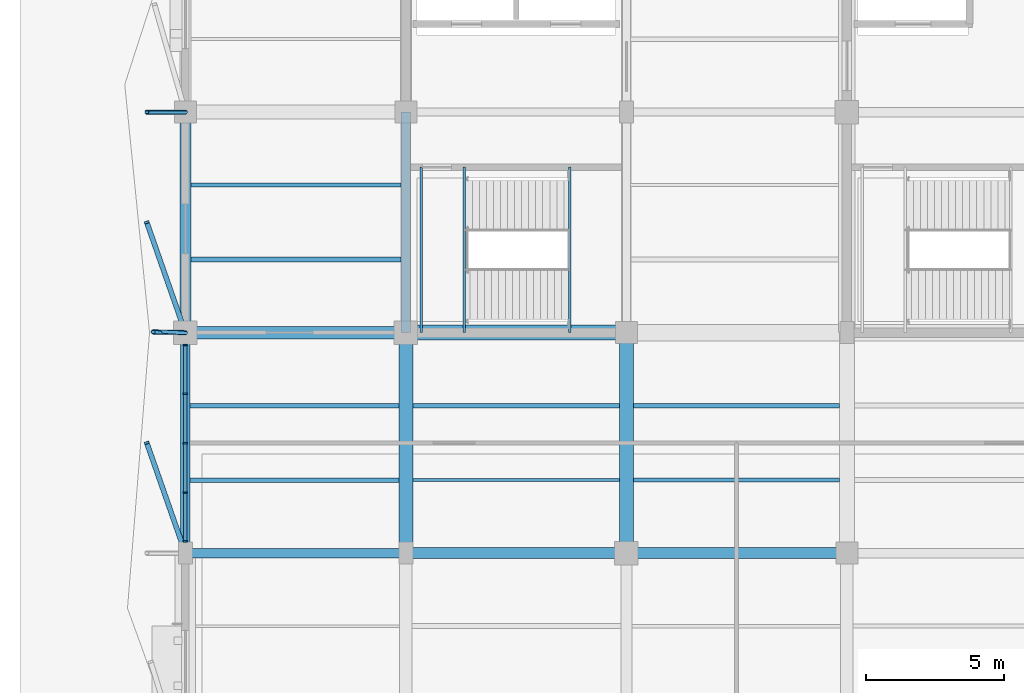
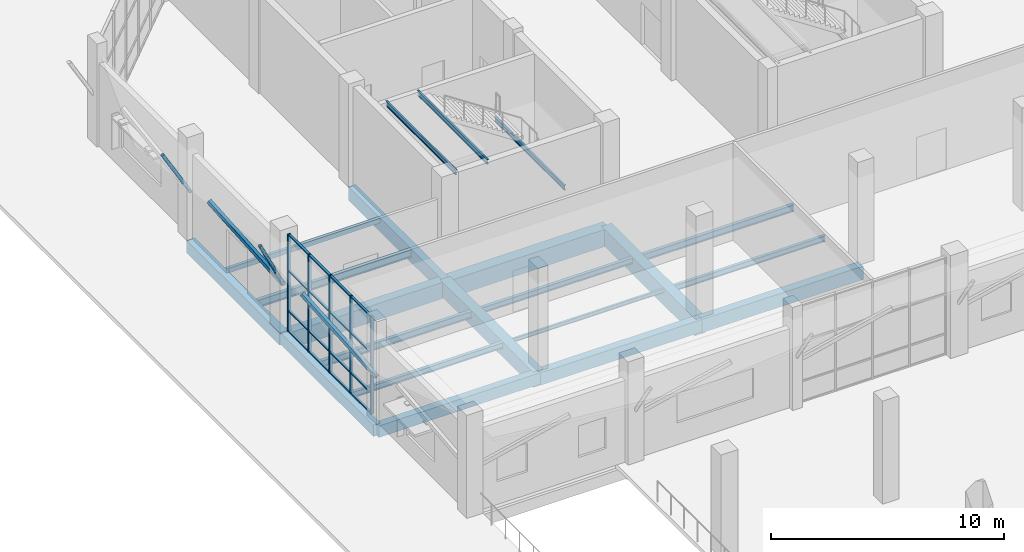
# One storey, part 35 of 123: 25 members, 21 beams, 1 element without a shape of its own.
"""IFC4 building model written with IfcOpenShell, lengths in metres."""

import ifcopenshell
import ifcopenshell.guid

model = None  # the IFC model being written
_history = None  # IfcOwnerHistory: only IFC2X3 demands one
_inside = {}  # id of a spatial element -> (the spatial element, [elements in it])
_under = {}  # id of a project, library or spatial element -> (it, [spatial elements below it])
_declared = {}  # id of a project -> (the project, [libraries it declares])
_typed = {}  # id of a type object -> (the type object, [elements of that type])
_made_of = {}  # id of a material, layer set ... -> (it, [elements and type objects made of it])


def new_model(schema):
    """Start an empty IFC model of exactly this schema.

    Asked for "IFC4X3", IfcOpenShell would pick the latest addendum, in which some entities
    have other attributes; the version numbers below select the first issue.
    IFC2X3 requires an IfcOwnerHistory on every rooted entity: one is made here for all.
    """
    global model, _history
    if schema == "IFC4X3":
        model = ifcopenshell.file(schema_version=(4, 3, 0, 0))
    else:
        model = ifcopenshell.file(schema=schema)
    _inside.clear()
    _under.clear()
    _declared.clear()
    _typed.clear()
    _made_of.clear()
    _history = None
    if model.schema == "IFC2X3":
        org = make("IfcOrganization", Name="unknown")
        user = make(
            "IfcPersonAndOrganization",
            ThePerson=make("IfcPerson", FamilyName="unknown"),
            TheOrganization=org,
        )
        app = make(
            "IfcApplication",
            ApplicationDeveloper=org,
            Version="unknown",
            ApplicationFullName="unknown",
            ApplicationIdentifier="unknown",
        )
        _history = make(
            "IfcOwnerHistory",
            OwningUser=user,
            OwningApplication=app,
            ChangeAction="ADDED",
            CreationDate=0,
        )
    return model


def make(cls, **values):
    """One entity of the class cls with the attributes given. An attribute that is None is left unset."""
    return model.create_entity(
        cls, **{name: value for name, value in values.items() if value is not None}
    )


def rooted(cls, **values):
    """An entity with a GlobalId (a new one), such as an element, a storey or a relation."""
    return make(cls, GlobalId=ifcopenshell.guid.new(), OwnerHistory=_history, **values)


def si_unit(unit_type, name, prefix=None):
    """IfcSIUnit, for example si_unit("LENGTHUNIT", "METRE", prefix="MILLI")."""
    return make("IfcSIUnit", UnitType=unit_type, Prefix=prefix, Name=name)


def assignment(units):
    """IfcUnitAssignment: the units of a project."""
    return None if units is None else make("IfcUnitAssignment", Units=units)


def point(xyz):
    """IfcCartesianPoint."""
    return None if xyz is None else make("IfcCartesianPoint", Coordinates=xyz)


def direction(xyz):
    """IfcDirection."""
    return None if xyz is None else make("IfcDirection", DirectionRatios=xyz)


def frame(location, z_axis=None, x_axis=None):
    """IfcAxis2Placement3D, a coordinate frame: its origin and axes. An axis left out is left unset."""
    return make(
        "IfcAxis2Placement3D",
        Location=point(location),
        Axis=direction(z_axis),
        RefDirection=direction(x_axis),
    )


def frame_2d(location, x_axis=None):
    """IfcAxis2Placement2D, a coordinate frame in the plane: its origin and x axis."""
    return make(
        "IfcAxis2Placement2D", Location=point(location), RefDirection=direction(x_axis)
    )


def origin():
    """The frame at (0, 0, 0) with its axes left unset."""
    return frame((0.0, 0.0, 0.0))


def origin_2d():
    """The frame at (0, 0) in the plane with its x axis left unset."""
    return frame_2d((0.0, 0.0))


def place(relative_to, where):
    """IfcLocalPlacement: puts the frame where relative to a parent placement (None: the world)."""
    return make(
        "IfcLocalPlacement", PlacementRelTo=relative_to, RelativePlacement=where
    )


def context(
    kind, dimensions, precision=None, world=None, true_north=None, identifier=None
):
    """IfcGeometricRepresentationContext, for example the 3D "Model" context."""
    return make(
        "IfcGeometricRepresentationContext",
        ContextIdentifier=identifier,
        ContextType=kind,
        CoordinateSpaceDimension=dimensions,
        Precision=precision,
        WorldCoordinateSystem=world,
        TrueNorth=true_north,
    )


def subcontext(parent, identifier, kind, view, scale=None):
    """IfcGeometricRepresentationSubContext, for example "Body" below "Model"."""
    return make(
        "IfcGeometricRepresentationSubContext",
        ContextIdentifier=identifier,
        ContextType=kind,
        ParentContext=parent,
        TargetScale=scale,
        TargetView=view,
    )


def project(units=None, contexts=None):
    """IfcProject with its units and contexts."""
    return rooted(
        "IfcProject",
        Name="project",
        RepresentationContexts=contexts,
        UnitsInContext=assignment(units),
    )


def spatial(cls, under=None, at=None, **own):
    """A site, building, storey or space (cls), placed at a placement, below another one or the project."""
    s = rooted(cls, ObjectPlacement=at, **own)
    if under is not None:
        _under.setdefault(under.id(), (under, []))[1].append(s)
    return s


def profile(cls, at=None, kind="AREA", **sizes):
    """A parametric profile (cls). Its sizes go by their IFC names, for example OverallWidth=200.0."""
    return make(cls, ProfileType=kind, Position=at, **sizes)


def rectangle(**sizes):
    """IfcRectangleProfileDef."""
    return profile("IfcRectangleProfileDef", **sizes)


def hollow_rectangle(**sizes):
    """IfcRectangleHollowProfileDef."""
    return profile("IfcRectangleHollowProfileDef", **sizes)


def hollow_circle(**sizes):
    """IfcCircleHollowProfileDef."""
    return profile("IfcCircleHollowProfileDef", **sizes)


def i_section(**sizes):
    """IfcIShapeProfileDef."""
    return profile("IfcIShapeProfileDef", **sizes)


def extrude(swept, where, along, depth):
    """IfcExtrudedAreaSolid: the profile swept, set in the frame where, extruded along a direction by depth."""
    return make(
        "IfcExtrudedAreaSolid",
        SweptArea=swept,
        Position=where,
        ExtrudedDirection=direction(along),
        Depth=depth,
    )


def shape(context_of_items, identifier, shape_type, items):
    """IfcShapeRepresentation: the items that make up one representation, for example the "Body"."""
    return make(
        "IfcShapeRepresentation",
        ContextOfItems=context_of_items,
        RepresentationIdentifier=identifier,
        RepresentationType=shape_type,
        Items=items,
    )


def material(Name=None, Category=None):
    """IfcMaterial."""
    return make("IfcMaterial", Name=Name, Category=Category)


def material_profile(
    of_material, cross_section, Name=None, Category=None, Priority=None
):
    """IfcMaterialProfile: a cross section and its material."""
    return make(
        "IfcMaterialProfile",
        Name=Name,
        Material=of_material,
        Profile=cross_section,
        Priority=Priority,
        Category=Category,
    )


def profile_set(profiles, Name=None, composite=None):
    """IfcMaterialProfileSet."""
    return make(
        "IfcMaterialProfileSet",
        Name=Name,
        MaterialProfiles=profiles,
        CompositeProfile=composite,
    )


def made_of(thing, what):
    """Note that an element or type object is made of a material, layer set ...; save() writes the relation."""
    if what is not None:
        _made_of.setdefault(what.id(), (what, []))[1].append(thing)
    return thing


def type_object(cls, material=None, **own):
    """A type object (cls), such as IfcWallType, which elements share."""
    return made_of(rooted(cls, **own), material)


def element(
    cls,
    number,
    at=None,
    inside=None,
    cuts=None,
    type_object=None,
    material=None,
    context=None,
    identifier="Body",
    shape_type=None,
    held_by="IfcProductDefinitionShape",
    body=None,
    shapes=None,
    **own,
):
    """One element of the class cls, such as IfcWall. Its Tag is "e" and its number.

    at: its placement. inside: the storey or other place that contains it. cuts: it is an
    opening in that element (IfcRelVoidsElement). A single representation is given by context,
    identifier, shape_type and body (its items); several are given by shapes. held_by: the class
    of the entity that holds the representations. save() writes the other relations.
    """
    e = rooted(cls, Tag="e%d" % number, ObjectPlacement=at, **own)
    if body is not None:
        shapes = [shape(context, identifier, shape_type, body)]
    if shapes is not None:
        e.Representation = make(held_by, Representations=shapes)
    if inside is not None:
        _inside.setdefault(inside.id(), (inside, []))[1].append(e)
    if cuts is not None:
        rooted(
            "IfcRelVoidsElement", RelatingBuildingElement=cuts, RelatedOpeningElement=e
        )
    if type_object is not None:
        _typed.setdefault(type_object.id(), (type_object, []))[1].append(e)
    return made_of(e, material)


def aggregate(whole, parts):
    """IfcRelAggregates: a whole, such as a stair, and the parts it consists of."""
    return rooted("IfcRelAggregates", RelatingObject=whole, RelatedObjects=parts)


def save(model, path):
    """Write the relations noted so far, then the file.

    IfcRelAggregates (storeys below a building ...), IfcRelContainedInSpatialStructure (elements
    in a storey), IfcRelDefinesByType, IfcRelAssociatesMaterial and IfcRelDeclares: one each for
    every whole, place, type object, material and project.
    """
    for whole, parts in _under.values():
        aggregate(whole, parts)
    for where, things in _inside.values():
        rooted(
            "IfcRelContainedInSpatialStructure",
            RelatedElements=things,
            RelatingStructure=where,
        )
    for kind, things in _typed.values():
        rooted("IfcRelDefinesByType", RelatedObjects=things, RelatingType=kind)
    for what, things in _made_of.values():
        rooted("IfcRelAssociatesMaterial", RelatedObjects=things, RelatingMaterial=what)
    for by, libraries in _declared.values():
        rooted("IfcRelDeclares", RelatingContext=by, RelatedDefinitions=libraries)
    model.write(path)


model = new_model("IFC4")

# Units and contexts
model_context = context("Model", 3, precision=1e-05, world=origin(), true_north=direction((0.0, 1.0)))
body_context = subcontext(model_context, "Body", "Model", "MODEL_VIEW")
ifc_project = project(units=[si_unit("LENGTHUNIT", "METRE"), si_unit("AREAUNIT", "SQUARE_METRE"), si_unit("VOLUMEUNIT", "CUBIC_METRE"), si_unit("PLANEANGLEUNIT", "RADIAN"), si_unit("MASSUNIT", "GRAM", prefix="KILO")], contexts=[model_context])

# Site, building, storey
site_placement = place(None, origin())
site = spatial("IfcSite", under=ifc_project, at=site_placement, CompositionType="ELEMENT")
building_placement = place(site_placement, origin())
building = spatial("IfcBuilding", under=site, at=building_placement, Name="Tenunan Teduh Sports Hall", CompositionType="ELEMENT")
storey_placement = place(building_placement, origin())
storey = spatial("IfcBuildingStorey", under=building, at=storey_placement, Name="L00", CompositionType="ELEMENT", Elevation=0.0)

# Beams
ifc_material_1 = material(Name="Concrete C40/50", Category="concrete")
ifc_material_profile_1 = material_profile(ifc_material_1, rectangle(XDim=0.35009765625, YDim=0.60009765625, at=origin_2d()), Name="RCB 350x600")
ifc_profile_set_1 = profile_set([ifc_material_profile_1], Name="Concrete C40/50")
beam_type_1 = type_object("IfcBeamType", Name="BM-RC-350x600", PredefinedType="BEAM", material=ifc_profile_set_1)
for number, where, z_axis, x_axis, name in (
    (1, (6.0, 86.0, -0.580078125), (1.0, 0.0, 0.0), (0.0, 1.0, 0.0), "BM-B-04-L00-0683"),
    (2, (6.0, 86.0, -0.580078125), (0.0, 1.0, 0.0), (-1.0, 0.0, 0.0), "BM-B-04-L00-0768"),
):
    element("IfcBeam", number, at=place(storey_placement, frame(where, z_axis=z_axis, x_axis=x_axis)), inside=storey, type_object=beam_type_1, Name=name, PredefinedType="BEAM", context=body_context, shape_type="SweptSolid", body=[
        extrude(rectangle(XDim=0.35009765625, YDim=0.60009765625, at=origin_2d()), origin(), (0.0, 0.0, 1.0), 8.0),
    ])
ifc_material_2 = material(Name="Concrete C40/50", Category="concrete")
ifc_material_profile_2 = material_profile(ifc_material_2, rectangle(XDim=0.39990234375, YDim=0.64990234375, at=origin_2d()), Name="RCB 400x650")
ifc_profile_set_2 = profile_set([ifc_material_profile_2], Name="Concrete C40/50")
beam_type_2 = type_object("IfcBeamType", Name="BM-RC-400x650", PredefinedType="BEAM", material=ifc_profile_set_2)
for number, where, z_axis, x_axis, name in (
    (3, (14.0, 86.0, -0.60498046875), (1.0, 0.0, 0.0), (0.0, 1.0, 0.0), "BM-B-07-L00-0684"),
    (4, (6.0, 94.0, -0.60498046875), (0.0, 1.0, 0.0), (-1.0, 0.0, 0.0), "BM-B-07-L00-0769"),
):
    element("IfcBeam", number, at=place(storey_placement, frame(where, z_axis=z_axis, x_axis=x_axis)), inside=storey, type_object=beam_type_2, Name=name, PredefinedType="BEAM", context=body_context, shape_type="SweptSolid", body=[
        extrude(rectangle(XDim=0.39990234375, YDim=0.64990234375, at=origin_2d()), origin(), (0.0, 0.0, 1.0), 8.0),
    ])
ifc_material_3 = material(Name="Concrete C40/50", Category="concrete")
ifc_material_profile_3 = material_profile(ifc_material_3, rectangle(XDim=0.39990234375, YDim=0.699951171875, at=origin_2d()), Name="RCB 400x700")
ifc_profile_set_3 = profile_set([ifc_material_profile_3], Name="Concrete C40/50")
beam_type_3 = type_object("IfcBeamType", Name="BM-RC-400x700", PredefinedType="BEAM", material=ifc_profile_set_3)
beam_1_placement = place(storey_placement, frame((22.0, 86.0, -0.6298828125), z_axis=(1.0, 0.0, 0.0), x_axis=(0.0, 1.0, 0.0)))
element("IfcBeam", 5, at=beam_1_placement, inside=storey, type_object=beam_type_3, Name="BM-B-08-L00-0685", PredefinedType="BEAM", context=body_context, shape_type="SweptSolid", body=[
    extrude(rectangle(XDim=0.39990234375, YDim=0.699951171875, at=origin_2d()), origin(), (0.0, 0.0, 1.0), 8.0),
])
ifc_material_4 = material(Name="Concrete C40/50", Category="concrete")
ifc_material_profile_4 = material_profile(ifc_material_4, rectangle(XDim=0.449951171875, YDim=0.85009765625, at=origin_2d()), Name="RCB 450x850")
ifc_profile_set_4 = profile_set([ifc_material_profile_4], Name="Concrete C40/50")
beam_type_4 = type_object("IfcBeamType", Name="BM-RC-450x850", PredefinedType="BEAM", material=ifc_profile_set_4)
beam_2_placement = place(storey_placement, frame((6.0, 94.0, -0.705078125), z_axis=(1.0, 0.0, 0.0), x_axis=(0.0, 1.0, 0.0)))
element("IfcBeam", 6, at=beam_2_placement, inside=storey, type_object=beam_type_4, Name="BM-B-13-L00-0699", PredefinedType="BEAM", context=body_context, shape_type="SweptSolid", body=[
    extrude(rectangle(XDim=0.449951171875, YDim=0.85009765625, at=origin_2d()), origin(), (0.0, 0.0, 1.0), 8.0),
])
ifc_material_5 = material(Name="Concrete C40/50", Category="concrete")
ifc_material_profile_5 = material_profile(ifc_material_5, rectangle(XDim=0.5, YDim=0.800048828125, at=origin_2d()), Name="RCB 500x800")
ifc_profile_set_5 = profile_set([ifc_material_profile_5], Name="Concrete C40/50")
beam_type_5 = type_object("IfcBeamType", Name="BM-RC-500x800", PredefinedType="BEAM", material=ifc_profile_set_5)
beam_3_placement = place(storey_placement, frame((14.0, 86.0, -0.679931640625), z_axis=(0.0, 1.0, 0.0), x_axis=(-1.0, 0.0, 0.0)))
element("IfcBeam", 7, at=beam_3_placement, inside=storey, type_object=beam_type_5, Name="BM-B-14-L00-0773", PredefinedType="BEAM", context=body_context, shape_type="SweptSolid", body=[
    extrude(rectangle(XDim=0.5, YDim=0.800048828125, at=origin_2d()), origin(), (0.0, 0.0, 1.0), 8.0),
])
ifc_material_6 = material(Name="Concrete C40/50", Category="concrete")
ifc_material_profile_6 = material_profile(ifc_material_6, rectangle(XDim=0.5, YDim=0.89990234375, at=origin_2d()), Name="RCB 500x900")
ifc_profile_set_6 = profile_set([ifc_material_profile_6], Name="Concrete C40/50")
beam_type_6 = type_object("IfcBeamType", Name="BM-RC-500x900", PredefinedType="BEAM", material=ifc_profile_set_6)
beam_4_placement = place(storey_placement, frame((22.0, 86.0, -0.72998046875), z_axis=(0.0, 1.0, 0.0), x_axis=(-1.0, 0.0, 0.0)))
element("IfcBeam", 8, at=beam_4_placement, inside=storey, type_object=beam_type_6, Name="BM-B-15-L00-0779", PredefinedType="BEAM", context=body_context, shape_type="SweptSolid", body=[
    extrude(rectangle(XDim=0.5, YDim=0.89990234375, at=origin_2d()), origin(), (0.0, 0.0, 1.0), 8.0),
])
ifc_material_7 = material(Name="Concrete C40/50", Category="concrete")
ifc_material_profile_7 = material_profile(ifc_material_7, rectangle(XDim=0.550048828125, YDim=0.89990234375, at=origin_2d()), Name="RCB 550x900")
ifc_profile_set_7 = profile_set([ifc_material_profile_7], Name="Concrete C40/50")
beam_type_7 = type_object("IfcBeamType", Name="BM-RC-550x900", PredefinedType="BEAM", material=ifc_profile_set_7)
beam_5_placement = place(storey_placement, frame((14.0, 94.0, -0.72998046875), z_axis=(1.0, 0.0, 0.0), x_axis=(0.0, 1.0, 0.0)))
element("IfcBeam", 9, at=beam_5_placement, inside=storey, type_object=beam_type_7, Name="BM-B-16-L00-0700", PredefinedType="BEAM", context=body_context, shape_type="SweptSolid", body=[
    extrude(rectangle(XDim=0.550048828125, YDim=0.89990234375, at=origin_2d()), origin(), (0.0, 0.0, 1.0), 8.0),
])
ifc_material_8 = material(Name="Concrete C40/50", Category="concrete")
ifc_material_profile_8 = material_profile(ifc_material_8, rectangle(XDim=0.35009765625, YDim=0.719970703125, at=origin_2d()), Name="TB 350x720")
ifc_profile_set_8 = profile_set([ifc_material_profile_8], Name="Concrete C40/50")
beam_type_8 = type_object("IfcBeamType", Name="BM-TB-350x720", PredefinedType="T_BEAM", material=ifc_profile_set_8)
beam_6_placement = place(storey_placement, frame((14.0, 94.0, -0.639892578125), z_axis=(0.0, 1.0, 0.0), x_axis=(-1.0, 0.0, 0.0)))
element("IfcBeam", 10, at=beam_6_placement, inside=storey, type_object=beam_type_8, Name="BM-TB-01-L00-0774", PredefinedType="T_BEAM", context=body_context, shape_type="SweptSolid", body=[
    extrude(rectangle(XDim=0.35009765625, YDim=0.719970703125, at=origin_2d()), origin(), (0.0, 0.0, 1.0), 8.0),
])

# Curtain wall, members
ifc_material_9 = material(Name="Anodised aluminium", Category="aluminium")
curtain_wall_type = type_object("IfcCurtainWallType", Name="CW-UNIT-1", PredefinedType="NOTDEFINED", material=ifc_material_9)
curtain_wall_placement = place(storey_placement, origin())
curtain_wall = element("IfcCurtainWall", 11, at=curtain_wall_placement, inside=storey, type_object=curtain_wall_type, Name="CW-CWM-150-L00-199", PredefinedType="NOTDEFINED")
ifc_material_10 = material(Name="Anodised aluminium", Category="aluminium")
ifc_material_profile_9 = material_profile(ifc_material_10, rectangle(XDim=0.06005859375, YDim=0.14990234375, at=origin_2d()), Name="CWM 60x150")
ifc_profile_set_9 = profile_set([ifc_material_profile_9], Name="Anodised aluminium")
member_type_1 = type_object("IfcMemberType", Name="CWM-150", PredefinedType="MULLION", material=ifc_profile_set_9)
member_1_placement = place(storey_placement, frame((6.0, 86.429931640625, 0.0), z_axis=(0.0, 0.0, 1.0), x_axis=(0.0, 1.0, 0.0)))
member_1 = element("IfcMember", 12, at=member_1_placement, type_object=member_type_1, Name="CW-01 mullion 1", PredefinedType="MULLION", context=body_context, shape_type="SweptSolid", body=[
    extrude(rectangle(XDim=0.06005859375, YDim=0.14990234375, at=origin_2d()), origin(), (0.0, 0.0, 1.0), 5.1201171875),
])
member_2_placement = place(storey_placement, frame((6.0, 88.19384765625, 0.0), z_axis=(0.0, 0.0, 1.0), x_axis=(0.0, 1.0, 0.0)))
member_2 = element("IfcMember", 13, at=member_2_placement, type_object=member_type_1, Name="CW-01 mullion 2", PredefinedType="MULLION", context=body_context, shape_type="SweptSolid", body=[
    extrude(rectangle(XDim=0.06005859375, YDim=0.14990234375, at=origin_2d()), origin(), (0.0, 0.0, 1.0), 5.1201171875),
])
member_3_placement = place(storey_placement, frame((6.0, 89.987548828125, 0.0), z_axis=(0.0, 0.0, 1.0), x_axis=(0.0, 1.0, 0.0)))
member_3 = element("IfcMember", 14, at=member_3_placement, type_object=member_type_1, Name="CW-01 mullion 3", PredefinedType="MULLION", context=body_context, shape_type="SweptSolid", body=[
    extrude(rectangle(XDim=0.06005859375, YDim=0.14990234375, at=origin_2d()), origin(), (0.0, 0.0, 1.0), 5.1201171875),
])
member_4_placement = place(storey_placement, frame((6.0, 91.78125, 0.0), z_axis=(0.0, 0.0, 1.0), x_axis=(0.0, 1.0, 0.0)))
member_4 = element("IfcMember", 15, at=member_4_placement, type_object=member_type_1, Name="CW-01 mullion 4", PredefinedType="MULLION", context=body_context, shape_type="SweptSolid", body=[
    extrude(rectangle(XDim=0.06005859375, YDim=0.14990234375, at=origin_2d()), origin(), (0.0, 0.0, 1.0), 5.1201171875),
])
member_5_placement = place(storey_placement, frame((6.0, 93.544921875, 0.0), z_axis=(0.0, 0.0, 1.0), x_axis=(0.0, 1.0, 0.0)))
member_5 = element("IfcMember", 16, at=member_5_placement, type_object=member_type_1, Name="CW-01 mullion 5", PredefinedType="MULLION", context=body_context, shape_type="SweptSolid", body=[
    extrude(rectangle(XDim=0.06005859375, YDim=0.14990234375, at=origin_2d()), origin(), (0.0, 0.0, 1.0), 5.1201171875),
])
ifc_material_11 = material(Name="Anodised aluminium", Category="aluminium")
ifc_material_profile_10 = material_profile(ifc_material_11, rectangle(XDim=0.06005859375, YDim=0.1201171875, at=origin_2d()), Name="CWT 60x120")
ifc_profile_set_10 = profile_set([ifc_material_profile_10], Name="Anodised aluminium")
member_type_2 = type_object("IfcMemberType", Name="CWT-125", PredefinedType="USERDEFINED", material=ifc_profile_set_10)
member_6_placement = place(storey_placement, frame((6.0, 86.4599609375, 0.030029296875), z_axis=(0.0, 1.0, 0.0), x_axis=(0.0, 0.0, 1.0)))
member_6 = element("IfcMember", 17, at=member_6_placement, type_object=member_type_2, Name="CW-01 transom 1.1", ObjectType="TRANSOM", PredefinedType="USERDEFINED", context=body_context, shape_type="SweptSolid", body=[
    extrude(rectangle(XDim=0.06005859375, YDim=0.1201171875, at=origin_2d()), origin(), (0.0, 0.0, 1.0), 1.703857421875),
])
member_7_placement = place(storey_placement, frame((6.0, 86.4599609375, 1.10009765625), z_axis=(0.0, 1.0, 0.0), x_axis=(0.0, 0.0, 1.0)))
member_7 = element("IfcMember", 18, at=member_7_placement, type_object=member_type_2, Name="CW-01 transom 1.2", ObjectType="TRANSOM", PredefinedType="USERDEFINED", context=body_context, shape_type="SweptSolid", body=[
    extrude(rectangle(XDim=0.06005859375, YDim=0.1201171875, at=origin_2d()), origin(), (0.0, 0.0, 1.0), 1.703857421875),
])
member_8_placement = place(storey_placement, frame((6.0, 86.4599609375, 3.199951171875), z_axis=(0.0, 1.0, 0.0), x_axis=(0.0, 0.0, 1.0)))
member_8 = element("IfcMember", 19, at=member_8_placement, type_object=member_type_2, Name="CW-01 transom 1.3", ObjectType="TRANSOM", PredefinedType="USERDEFINED", context=body_context, shape_type="SweptSolid", body=[
    extrude(rectangle(XDim=0.06005859375, YDim=0.1201171875, at=origin_2d()), origin(), (0.0, 0.0, 1.0), 1.703857421875),
])
member_9_placement = place(storey_placement, frame((6.0, 86.4599609375, 5.090087890625), z_axis=(0.0, 1.0, 0.0), x_axis=(0.0, 0.0, 1.0)))
member_9 = element("IfcMember", 20, at=member_9_placement, type_object=member_type_2, Name="CW-01 transom 1.4", ObjectType="TRANSOM", PredefinedType="USERDEFINED", context=body_context, shape_type="SweptSolid", body=[
    extrude(rectangle(XDim=0.06005859375, YDim=0.1201171875, at=origin_2d()), origin(), (0.0, 0.0, 1.0), 1.703857421875),
])
member_10_placement = place(storey_placement, frame((6.0, 88.2236328125, 0.030029296875), z_axis=(0.0, 1.0, 0.0), x_axis=(0.0, 0.0, 1.0)))
member_10 = element("IfcMember", 21, at=member_10_placement, type_object=member_type_2, Name="CW-01 transom 2.1", ObjectType="TRANSOM", PredefinedType="USERDEFINED", context=body_context, shape_type="SweptSolid", body=[
    extrude(rectangle(XDim=0.06005859375, YDim=0.1201171875, at=origin_2d()), origin(), (0.0, 0.0, 1.0), 1.73388671875),
])
member_11_placement = place(storey_placement, frame((6.0, 88.2236328125, 1.10009765625), z_axis=(0.0, 1.0, 0.0), x_axis=(0.0, 0.0, 1.0)))
member_11 = element("IfcMember", 22, at=member_11_placement, type_object=member_type_2, Name="CW-01 transom 2.2", ObjectType="TRANSOM", PredefinedType="USERDEFINED", context=body_context, shape_type="SweptSolid", body=[
    extrude(rectangle(XDim=0.06005859375, YDim=0.1201171875, at=origin_2d()), origin(), (0.0, 0.0, 1.0), 1.73388671875),
])
member_12_placement = place(storey_placement, frame((6.0, 88.2236328125, 3.199951171875), z_axis=(0.0, 1.0, 0.0), x_axis=(0.0, 0.0, 1.0)))
member_12 = element("IfcMember", 23, at=member_12_placement, type_object=member_type_2, Name="CW-01 transom 2.3", ObjectType="TRANSOM", PredefinedType="USERDEFINED", context=body_context, shape_type="SweptSolid", body=[
    extrude(rectangle(XDim=0.06005859375, YDim=0.1201171875, at=origin_2d()), origin(), (0.0, 0.0, 1.0), 1.73388671875),
])
member_13_placement = place(storey_placement, frame((6.0, 88.2236328125, 5.090087890625), z_axis=(0.0, 1.0, 0.0), x_axis=(0.0, 0.0, 1.0)))
member_13 = element("IfcMember", 24, at=member_13_placement, type_object=member_type_2, Name="CW-01 transom 2.4", ObjectType="TRANSOM", PredefinedType="USERDEFINED", context=body_context, shape_type="SweptSolid", body=[
    extrude(rectangle(XDim=0.06005859375, YDim=0.1201171875, at=origin_2d()), origin(), (0.0, 0.0, 1.0), 1.73388671875),
])
member_14_placement = place(storey_placement, frame((6.0, 90.017578125, 0.030029296875), z_axis=(0.0, 1.0, 0.0), x_axis=(0.0, 0.0, 1.0)))
member_14 = element("IfcMember", 25, at=member_14_placement, type_object=member_type_2, Name="CW-01 transom 3.1", ObjectType="TRANSOM", PredefinedType="USERDEFINED", context=body_context, shape_type="SweptSolid", body=[
    extrude(rectangle(XDim=0.06005859375, YDim=0.1201171875, at=origin_2d()), origin(), (0.0, 0.0, 1.0), 1.733642578125),
])
member_15_placement = place(storey_placement, frame((6.0, 90.017578125, 1.10009765625), z_axis=(0.0, 1.0, 0.0), x_axis=(0.0, 0.0, 1.0)))
member_15 = element("IfcMember", 26, at=member_15_placement, type_object=member_type_2, Name="CW-01 transom 3.2", ObjectType="TRANSOM", PredefinedType="USERDEFINED", context=body_context, shape_type="SweptSolid", body=[
    extrude(rectangle(XDim=0.06005859375, YDim=0.1201171875, at=origin_2d()), origin(), (0.0, 0.0, 1.0), 1.733642578125),
])
member_16_placement = place(storey_placement, frame((6.0, 90.017578125, 3.199951171875), z_axis=(0.0, 1.0, 0.0), x_axis=(0.0, 0.0, 1.0)))
member_16 = element("IfcMember", 27, at=member_16_placement, type_object=member_type_2, Name="CW-01 transom 3.3", ObjectType="TRANSOM", PredefinedType="USERDEFINED", context=body_context, shape_type="SweptSolid", body=[
    extrude(rectangle(XDim=0.06005859375, YDim=0.1201171875, at=origin_2d()), origin(), (0.0, 0.0, 1.0), 1.733642578125),
])
member_17_placement = place(storey_placement, frame((6.0, 90.017578125, 5.090087890625), z_axis=(0.0, 1.0, 0.0), x_axis=(0.0, 0.0, 1.0)))
member_17 = element("IfcMember", 28, at=member_17_placement, type_object=member_type_2, Name="CW-01 transom 3.4", ObjectType="TRANSOM", PredefinedType="USERDEFINED", context=body_context, shape_type="SweptSolid", body=[
    extrude(rectangle(XDim=0.06005859375, YDim=0.1201171875, at=origin_2d()), origin(), (0.0, 0.0, 1.0), 1.733642578125),
])
member_18_placement = place(storey_placement, frame((6.0, 91.811279296875, 0.030029296875), z_axis=(0.0, 1.0, 0.0), x_axis=(0.0, 0.0, 1.0)))
member_18 = element("IfcMember", 29, at=member_18_placement, type_object=member_type_2, Name="CW-01 transom 4.1", ObjectType="TRANSOM", PredefinedType="USERDEFINED", context=body_context, shape_type="SweptSolid", body=[
    extrude(rectangle(XDim=0.06005859375, YDim=0.1201171875, at=origin_2d()), origin(), (0.0, 0.0, 1.0), 1.70361328125),
])
member_19_placement = place(storey_placement, frame((6.0, 91.811279296875, 1.10009765625), z_axis=(0.0, 1.0, 0.0), x_axis=(0.0, 0.0, 1.0)))
member_19 = element("IfcMember", 30, at=member_19_placement, type_object=member_type_2, Name="CW-01 transom 4.2", ObjectType="TRANSOM", PredefinedType="USERDEFINED", context=body_context, shape_type="SweptSolid", body=[
    extrude(rectangle(XDim=0.06005859375, YDim=0.1201171875, at=origin_2d()), origin(), (0.0, 0.0, 1.0), 1.70361328125),
])
member_20_placement = place(storey_placement, frame((6.0, 91.811279296875, 3.199951171875), z_axis=(0.0, 1.0, 0.0), x_axis=(0.0, 0.0, 1.0)))
member_20 = element("IfcMember", 31, at=member_20_placement, type_object=member_type_2, Name="CW-01 transom 4.3", ObjectType="TRANSOM", PredefinedType="USERDEFINED", context=body_context, shape_type="SweptSolid", body=[
    extrude(rectangle(XDim=0.06005859375, YDim=0.1201171875, at=origin_2d()), origin(), (0.0, 0.0, 1.0), 1.70361328125),
])
member_21_placement = place(storey_placement, frame((6.0, 91.811279296875, 5.090087890625), z_axis=(0.0, 1.0, 0.0), x_axis=(0.0, 0.0, 1.0)))
member_21 = element("IfcMember", 32, at=member_21_placement, type_object=member_type_2, Name="CW-01 transom 4.4", ObjectType="TRANSOM", PredefinedType="USERDEFINED", context=body_context, shape_type="SweptSolid", body=[
    extrude(rectangle(XDim=0.06005859375, YDim=0.1201171875, at=origin_2d()), origin(), (0.0, 0.0, 1.0), 1.70361328125),
])
aggregate(curtain_wall, [member_1, member_2, member_3, member_4, member_5, member_6, member_7, member_8, member_9, member_10, member_11, member_12, member_13, member_14, member_15, member_16, member_17, member_18, member_19, member_20, member_21])

# Beams
ifc_material_12 = material(Name="Steel S355", Category="steel")
ifc_material_profile_11 = material_profile(ifc_material_12, i_section(OverallWidth=0.10009765625, OverallDepth=0.199951171875, WebThickness=0.005615234375, FlangeThickness=0.008544921875, FilletRadius=0.011962890625, at=origin_2d()), Name="IPE 200")
ifc_profile_set_11 = profile_set([ifc_material_profile_11], Name="Steel S355")
beam_type_9 = type_object("IfcBeamType", Name="JST-IPE200", PredefinedType="JOIST", material=ifc_profile_set_11)
beam_7_placement = place(storey_placement, frame((14.25, 88.64990234375, -0.3798828125), z_axis=(1.0, 0.0, 0.0), x_axis=(0.0, 1.0, 0.0)))
element("IfcBeam", 33, at=beam_7_placement, inside=storey, type_object=beam_type_9, Name="BM-J-01-L00-0908", PredefinedType="JOIST", context=body_context, shape_type="SweptSolid", body=[
    extrude(i_section(OverallWidth=0.10009765625, OverallDepth=0.199951171875, WebThickness=0.005615234375, FlangeThickness=0.008544921875, FilletRadius=0.011962890625, at=origin_2d()), origin(), (0.0, 0.0, 1.0), 7.5),
])
ifc_material_13 = material(Name="Steel S355", Category="steel")
ifc_material_profile_12 = material_profile(ifc_material_13, i_section(OverallWidth=0.14990234375, OverallDepth=0.300048828125, WebThickness=0.007080078125, FlangeThickness=0.0107421875, FilletRadius=0.014892578125, at=origin_2d()), Name="IPE 300")
ifc_profile_set_12 = profile_set([ifc_material_profile_12], Name="Steel S355")
beam_type_10 = type_object("IfcBeamType", Name="JST-IPE300", PredefinedType="JOIST", material=ifc_profile_set_12)
beam_8_placement = place(storey_placement, frame((22.25, 88.64990234375, -0.429931640625), z_axis=(1.0, 0.0, 0.0), x_axis=(0.0, 1.0, 0.0)))
element("IfcBeam", 34, at=beam_8_placement, inside=storey, type_object=beam_type_10, Name="BM-J-04-L00-0916", PredefinedType="JOIST", context=body_context, shape_type="SweptSolid", body=[
    extrude(i_section(OverallWidth=0.14990234375, OverallDepth=0.300048828125, WebThickness=0.007080078125, FlangeThickness=0.0107421875, FilletRadius=0.014892578125, at=origin_2d()), origin(), (0.0, 0.0, 1.0), 7.47509765625),
])
ifc_material_14 = material(Name="Steel S355", Category="steel")
ifc_material_profile_13 = material_profile(ifc_material_14, i_section(OverallWidth=0.169921875, OverallDepth=0.360107421875, WebThickness=0.008056640625, FlangeThickness=0.0126953125, FilletRadius=0.01806640625, at=origin_2d()), Name="IPE 360")
ifc_profile_set_13 = profile_set([ifc_material_profile_13], Name="Steel S355")
beam_type_11 = type_object("IfcBeamType", Name="JST-IPE360", PredefinedType="JOIST", material=ifc_profile_set_13)
beam_9_placement = place(storey_placement, frame((22.25, 91.35009765625, -0.4599609375), z_axis=(1.0, 0.0, 0.0), x_axis=(0.0, 1.0, 0.0)))
element("IfcBeam", 35, at=beam_9_placement, inside=storey, type_object=beam_type_11, Name="BM-J-05-L00-0917", PredefinedType="JOIST", context=body_context, shape_type="SweptSolid", body=[
    extrude(i_section(OverallWidth=0.169921875, OverallDepth=0.360107421875, WebThickness=0.008056640625, FlangeThickness=0.0126953125, FilletRadius=0.01806640625, at=origin_2d()), origin(), (0.0, 0.0, 1.0), 7.47509765625),
])

# Members
ifc_material_15 = material(Name="Steel S355", Category="steel")
ifc_material_profile_14 = material_profile(ifc_material_15, hollow_circle(Radius=0.084228515625, WallThickness=0.008056640625, at=origin_2d()), Name="CHS 168.3x8.0")
ifc_profile_set_14 = profile_set([ifc_material_profile_14], Name="Steel S355")
member_type_3 = type_object("IfcMemberType", Name="MEM-BR-CHS168", PredefinedType="BRACE", material=ifc_profile_set_14)
member_22_placement = place(storey_placement, frame((6.0, 94.0, 2.199951171875), z_axis=(-0.43572100905, 0.008443853687, 0.900042167683), x_axis=(-0.019375399454, -0.999812279328, 0.0)))
element("IfcMember", 36, at=member_22_placement, inside=storey, type_object=member_type_3, Name="MEM-GD-04-L00-1135", PredefinedType="BRACE", context=body_context, shape_type="SweptSolid", body=[
    extrude(hollow_circle(Radius=0.084228515625, WallThickness=0.008056640625, at=origin_2d()), origin(), (0.0, 0.0, 1.0), 2.68896484375),
])
member_23_placement = place(storey_placement, frame((6.0, 102.0, 2.199951171875), z_axis=(-0.500702345696, 0.0, 0.865619524395), x_axis=(0.0, -1.0, 0.0)))
element("IfcMember", 37, at=member_23_placement, inside=storey, type_object=member_type_3, Name="MEM-GD-04-L00-1137", PredefinedType="BRACE", context=body_context, shape_type="SweptSolid", body=[
    extrude(hollow_circle(Radius=0.084228515625, WallThickness=0.008056640625, at=origin_2d()), origin(), (0.0, 0.0, 1.0), 2.7958984375),
])
ifc_material_16 = material(Name="Steel S355", Category="steel")
ifc_material_profile_15 = material_profile(ifc_material_16, hollow_rectangle(XDim=0.179931640625, YDim=0.179931640625, WallThickness=0.010009765625, at=origin_2d()), Name="SHS 180x180x10.0")
ifc_profile_set_15 = profile_set([ifc_material_profile_15], Name="Steel S355")
member_type_4 = type_object("IfcMemberType", Name="MEM-ST-SHS180", PredefinedType="STRUT", material=ifc_profile_set_15)
for number, where, z_axis, x_axis, name in (
    (38, (6.0, 86.0, 2.199951171875), (-0.286849996866, 0.819628592371, 0.495909316172), (-0.943865541227, -0.330329895837, 0.0), "MEM-VS-03-L00-1134"),
    (39, (6.0, 94.0, 2.199951171875), (-0.286849996866, 0.819628592371, 0.495909316172), (-0.943865541227, -0.330329895837, 0.0), "MEM-VS-03-L00-1136"),
):
    element("IfcMember", number, at=place(storey_placement, frame(where, z_axis=z_axis, x_axis=x_axis)), inside=storey, type_object=member_type_4, Name=name, PredefinedType="STRUT", context=body_context, shape_type="SweptSolid", body=[
        extrude(hollow_rectangle(XDim=0.179931640625, YDim=0.179931640625, WallThickness=0.010009765625, at=origin_2d()), origin(), (0.0, 0.0, 1.0), 4.88037109375),
    ])

# Beams
ifc_material_17 = material(Name="Steel S355", Category="steel")
ifc_material_profile_16 = material_profile(ifc_material_17, hollow_rectangle(XDim=0.14990234375, YDim=0.25, WallThickness=0.010009765625, at=origin_2d()), Name="RHS 250x150x10.0")
ifc_profile_set_16 = profile_set([ifc_material_profile_16], Name="Steel S355")
beam_type_12 = type_object("IfcBeamType", Name="RBM-RHS250", PredefinedType="BEAM", material=ifc_profile_set_16)
beam_10_placement = place(storey_placement, frame((6.199951171875, 99.35009765625, -0.405029296875), z_axis=(1.0, 0.0, 0.0), x_axis=(0.0, 1.0, 0.0)))
element("IfcBeam", 40, at=beam_10_placement, inside=storey, type_object=beam_type_12, Name="Perimeter Ring Beam BM-RB-04-L00-0901", PredefinedType="BEAM", context=body_context, shape_type="SweptSolid", body=[
    extrude(hollow_rectangle(XDim=0.14990234375, YDim=0.25, WallThickness=0.010009765625, at=origin_2d()), origin(), (0.0, 0.0, 1.0), 7.625),
])
ifc_material_18 = material(Name="Steel S355", Category="steel")
ifc_material_profile_17 = material_profile(ifc_material_18, i_section(OverallWidth=0.1650390625, OverallDepth=0.303466796875, WebThickness=0.006103515625, FlangeThickness=0.01025390625, FilletRadius=0.0087890625, at=origin_2d()), Name="UKB 305x165x40")
ifc_profile_set_17 = profile_set([ifc_material_profile_17], Name="Steel S355")
beam_type_13 = type_object("IfcBeamType", Name="SBM-UKB305", PredefinedType="BEAM", material=ifc_profile_set_17)
beam_11_placement = place(storey_placement, frame((6.175048828125, 88.64990234375, -0.431640625), z_axis=(1.0, 0.0, 0.0), x_axis=(0.0, 1.0, 0.0)))
element("IfcBeam", 41, at=beam_11_placement, inside=storey, type_object=beam_type_13, Name="BM-SB-01-L00-0898", PredefinedType="BEAM", context=body_context, shape_type="SweptSolid", body=[
    extrude(i_section(OverallWidth=0.1650390625, OverallDepth=0.303466796875, WebThickness=0.006103515625, FlangeThickness=0.01025390625, FilletRadius=0.0087890625, at=origin_2d()), origin(), (0.0, 0.0, 1.0), 7.574951171875),
])
beam_12_placement = place(storey_placement, frame((14.25, 91.35009765625, -0.431640625), z_axis=(1.0, 0.0, 0.0), x_axis=(0.0, 1.0, 0.0)))
element("IfcBeam", 42, at=beam_12_placement, inside=storey, type_object=beam_type_13, Name="BM-SB-01-L00-0909", PredefinedType="BEAM", context=body_context, shape_type="SweptSolid", body=[
    extrude(i_section(OverallWidth=0.1650390625, OverallDepth=0.303466796875, WebThickness=0.006103515625, FlangeThickness=0.01025390625, FilletRadius=0.0087890625, at=origin_2d()), origin(), (0.0, 0.0, 1.0), 7.5),
])
ifc_material_19 = material(Name="Steel S355", Category="steel")
ifc_material_profile_18 = material_profile(ifc_material_19, i_section(OverallWidth=0.17138671875, OverallDepth=0.35498046875, WebThickness=0.00732421875, FlangeThickness=0.011474609375, FilletRadius=0.01025390625, at=origin_2d()), Name="UKB 356x171x51")
ifc_profile_set_18 = profile_set([ifc_material_profile_18], Name="Steel S355")
beam_type_14 = type_object("IfcBeamType", Name="SBM-UKB356", PredefinedType="BEAM", material=ifc_profile_set_18)
beam_13_placement = place(storey_placement, frame((6.175048828125, 91.35009765625, -0.45751953125), z_axis=(1.0, 0.0, 0.0), x_axis=(0.0, 1.0, 0.0)))
element("IfcBeam", 43, at=beam_13_placement, inside=storey, type_object=beam_type_14, Name="BM-SB-02-L00-0899", PredefinedType="BEAM", context=body_context, shape_type="SweptSolid", body=[
    extrude(i_section(OverallWidth=0.17138671875, OverallDepth=0.35498046875, WebThickness=0.00732421875, FlangeThickness=0.011474609375, FilletRadius=0.01025390625, at=origin_2d()), origin(), (0.0, 0.0, 1.0), 7.574951171875),
])
ifc_material_20 = material(Name="Steel S355", Category="steel")
ifc_material_profile_19 = material_profile(ifc_material_20, i_section(OverallWidth=0.177978515625, OverallDepth=0.406494140625, WebThickness=0.0078125, FlangeThickness=0.0126953125, FilletRadius=0.01025390625, at=origin_2d()), Name="UKB 406x178x60")
ifc_profile_set_19 = profile_set([ifc_material_profile_19], Name="Steel S355")
beam_type_15 = type_object("IfcBeamType", Name="SBM-UKB406", PredefinedType="BEAM", material=ifc_profile_set_19)
beam_14_placement = place(storey_placement, frame((6.199951171875, 96.64990234375, -0.483154296875), z_axis=(1.0, 0.0, 0.0), x_axis=(0.0, 1.0, 0.0)))
element("IfcBeam", 44, at=beam_14_placement, inside=storey, type_object=beam_type_15, Name="BM-SB-03-L00-0900", PredefinedType="BEAM", context=body_context, shape_type="SweptSolid", body=[
    extrude(i_section(OverallWidth=0.177978515625, OverallDepth=0.406494140625, WebThickness=0.0078125, FlangeThickness=0.0126953125, FilletRadius=0.01025390625, at=origin_2d()), origin(), (0.0, 0.0, 1.0), 7.625),
])
ifc_material_21 = material(Name="Steel S355", Category="steel")
ifc_material_profile_20 = material_profile(ifc_material_21, i_section(OverallWidth=0.090087890625, OverallDepth=0.260009765625, WebThickness=0.008056640625, FlangeThickness=0.013916015625, FilletRadius=0.011962890625, at=origin_2d()), Name="PFC 260x90")
ifc_profile_set_20 = profile_set([ifc_material_profile_20], Name="Steel S355")
beam_type_16 = type_object("IfcBeamType", Name="STR-BM-TRIM", PredefinedType="BEAM", material=ifc_profile_set_20)
for number, where, z_axis, x_axis, name in (
    (45, (19.945068359375, 94.0, 2.3701171875), (0.0, 1.0, 0.0), (-1.0, 0.0, 0.0), "BM-SS-02-W1-L00-M"),
    (46, (16.1201171875, 94.0, 5.070068359375), (0.0, 1.0, 0.0), (-1.0, 0.0, 0.0), "BM-SS-02-W1-L00-T"),
    (47, (14.550048828125, 94.0, 5.070068359375), (0.0, 1.0, 0.0), (-1.0, 0.0, 0.0), "BM-SS-02-W1-L00-TW"),
):
    element("IfcBeam", number, at=place(storey_placement, frame(where, z_axis=z_axis, x_axis=x_axis)), inside=storey, type_object=beam_type_16, Name=name, PredefinedType="BEAM", context=body_context, shape_type="SweptSolid", body=[
        extrude(i_section(OverallWidth=0.090087890625, OverallDepth=0.260009765625, WebThickness=0.008056640625, FlangeThickness=0.013916015625, FilletRadius=0.011962890625, at=origin_2d()), origin(), (0.0, 0.0, 1.0), 6.0),
    ])

save(model, "model.ifc")
